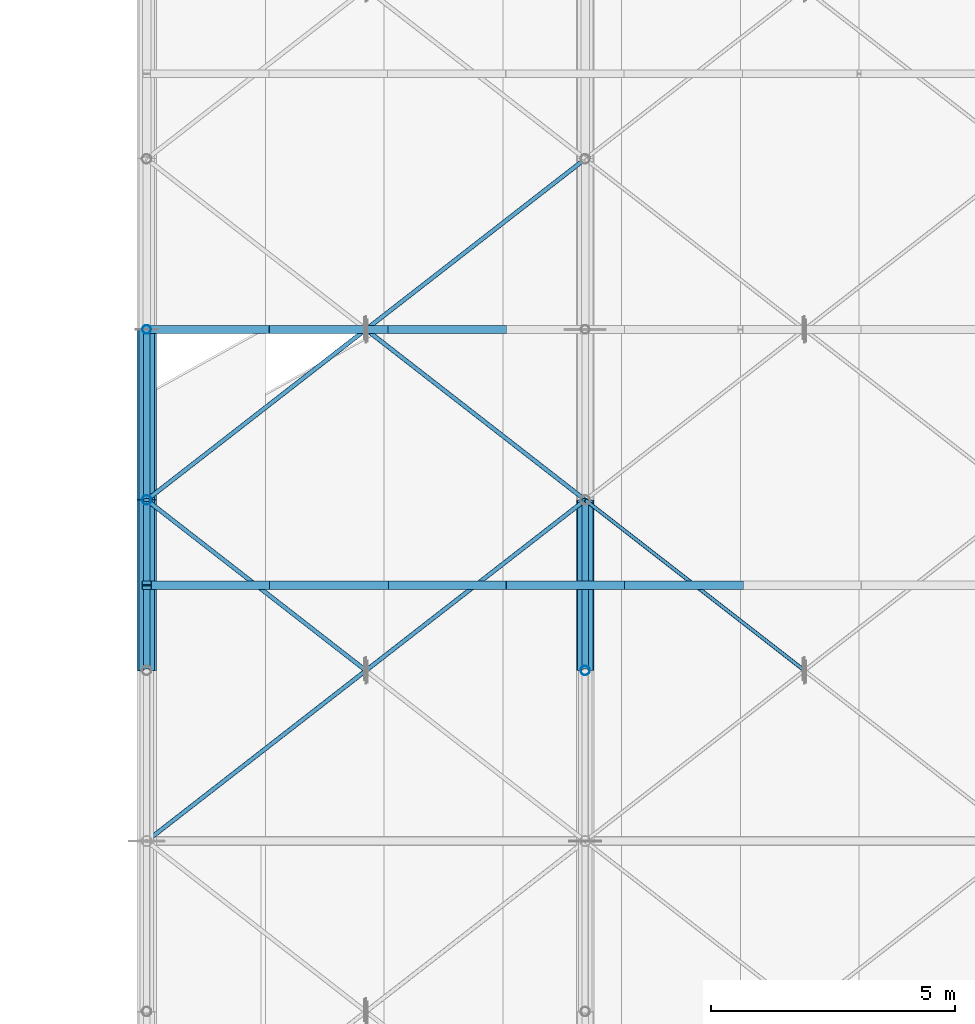
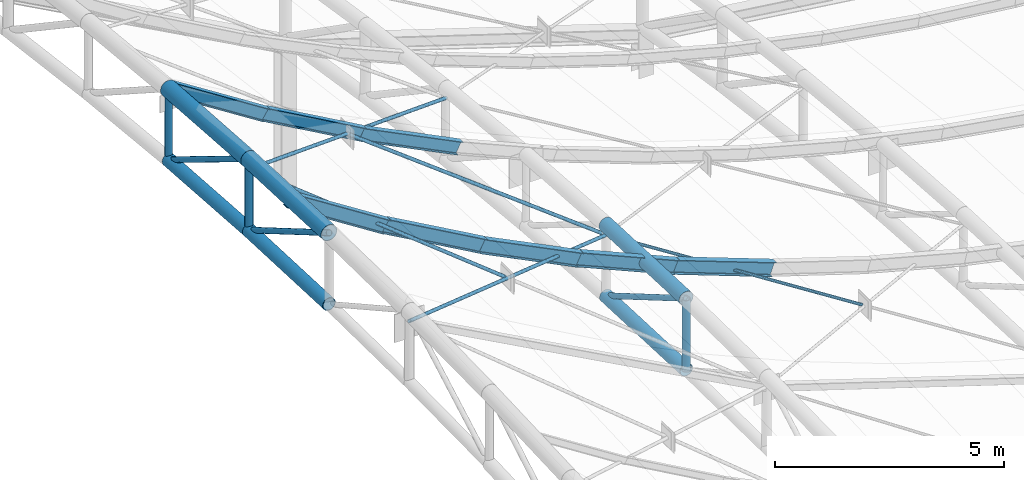
# One storey, part 23 of 262: 25 members.
"""IFC4 building model written with IfcOpenShell, lengths in metres."""

import ifcopenshell
import ifcopenshell.guid

model = None  # the IFC model being written
_history = None  # IfcOwnerHistory: only IFC2X3 demands one
_inside = {}  # id of a spatial element -> (the spatial element, [elements in it])
_under = {}  # id of a project, library or spatial element -> (it, [spatial elements below it])
_declared = {}  # id of a project -> (the project, [libraries it declares])
_typed = {}  # id of a type object -> (the type object, [elements of that type])
_made_of = {}  # id of a material, layer set ... -> (it, [elements and type objects made of it])


def new_model(schema):
    """Start an empty IFC model of exactly this schema.

    Asked for "IFC4X3", IfcOpenShell would pick the latest addendum, in which some entities
    have other attributes; the version numbers below select the first issue.
    IFC2X3 requires an IfcOwnerHistory on every rooted entity: one is made here for all.
    """
    global model, _history
    if schema == "IFC4X3":
        model = ifcopenshell.file(schema_version=(4, 3, 0, 0))
    else:
        model = ifcopenshell.file(schema=schema)
    _inside.clear()
    _under.clear()
    _declared.clear()
    _typed.clear()
    _made_of.clear()
    _history = None
    if model.schema == "IFC2X3":
        org = make("IfcOrganization", Name="unknown")
        user = make(
            "IfcPersonAndOrganization",
            ThePerson=make("IfcPerson", FamilyName="unknown"),
            TheOrganization=org,
        )
        app = make(
            "IfcApplication",
            ApplicationDeveloper=org,
            Version="unknown",
            ApplicationFullName="unknown",
            ApplicationIdentifier="unknown",
        )
        _history = make(
            "IfcOwnerHistory",
            OwningUser=user,
            OwningApplication=app,
            ChangeAction="ADDED",
            CreationDate=0,
        )
    return model


def make(cls, **values):
    """One entity of the class cls with the attributes given. An attribute that is None is left unset."""
    return model.create_entity(
        cls, **{name: value for name, value in values.items() if value is not None}
    )


def rooted(cls, **values):
    """An entity with a GlobalId (a new one), such as an element, a storey or a relation."""
    return make(cls, GlobalId=ifcopenshell.guid.new(), OwnerHistory=_history, **values)


def si_unit(unit_type, name, prefix=None):
    """IfcSIUnit, for example si_unit("LENGTHUNIT", "METRE", prefix="MILLI")."""
    return make("IfcSIUnit", UnitType=unit_type, Prefix=prefix, Name=name)


def derived_unit(unit_type, elements):
    """IfcDerivedUnit: a product of units, each with its exponent."""
    return make(
        "IfcDerivedUnit",
        Elements=[
            make("IfcDerivedUnitElement", Unit=unit, Exponent=power)
            for unit, power in elements
        ],
        UnitType=unit_type,
    )


def assignment(units):
    """IfcUnitAssignment: the units of a project."""
    return None if units is None else make("IfcUnitAssignment", Units=units)


def point(xyz):
    """IfcCartesianPoint."""
    return None if xyz is None else make("IfcCartesianPoint", Coordinates=xyz)


def direction(xyz):
    """IfcDirection."""
    return None if xyz is None else make("IfcDirection", DirectionRatios=xyz)


def frame(location, z_axis=None, x_axis=None):
    """IfcAxis2Placement3D, a coordinate frame: its origin and axes. An axis left out is left unset."""
    return make(
        "IfcAxis2Placement3D",
        Location=point(location),
        Axis=direction(z_axis),
        RefDirection=direction(x_axis),
    )


def frame_2d(location, x_axis=None):
    """IfcAxis2Placement2D, a coordinate frame in the plane: its origin and x axis."""
    return make(
        "IfcAxis2Placement2D", Location=point(location), RefDirection=direction(x_axis)
    )


def origin():
    """The frame at (0, 0, 0) with its axes left unset."""
    return frame((0.0, 0.0, 0.0))


def origin_2d():
    """The frame at (0, 0) in the plane with its x axis left unset."""
    return frame_2d((0.0, 0.0))


def place(relative_to, where):
    """IfcLocalPlacement: puts the frame where relative to a parent placement (None: the world)."""
    return make(
        "IfcLocalPlacement", PlacementRelTo=relative_to, RelativePlacement=where
    )


def context(
    kind, dimensions, precision=None, world=None, true_north=None, identifier=None
):
    """IfcGeometricRepresentationContext, for example the 3D "Model" context."""
    return make(
        "IfcGeometricRepresentationContext",
        ContextIdentifier=identifier,
        ContextType=kind,
        CoordinateSpaceDimension=dimensions,
        Precision=precision,
        WorldCoordinateSystem=world,
        TrueNorth=true_north,
    )


def subcontext(parent, identifier, kind, view, scale=None):
    """IfcGeometricRepresentationSubContext, for example "Body" below "Model"."""
    return make(
        "IfcGeometricRepresentationSubContext",
        ContextIdentifier=identifier,
        ContextType=kind,
        ParentContext=parent,
        TargetScale=scale,
        TargetView=view,
    )


def project(units=None, contexts=None):
    """IfcProject with its units and contexts."""
    return rooted(
        "IfcProject",
        Name="project",
        RepresentationContexts=contexts,
        UnitsInContext=assignment(units),
    )


def spatial(cls, under=None, at=None, **own):
    """A site, building, storey or space (cls), placed at a placement, below another one or the project."""
    s = rooted(cls, ObjectPlacement=at, **own)
    if under is not None:
        _under.setdefault(under.id(), (under, []))[1].append(s)
    return s


def profile(cls, at=None, kind="AREA", **sizes):
    """A parametric profile (cls). Its sizes go by their IFC names, for example OverallWidth=200.0."""
    return make(cls, ProfileType=kind, Position=at, **sizes)


def hollow_circle(**sizes):
    """IfcCircleHollowProfileDef."""
    return profile("IfcCircleHollowProfileDef", **sizes)


def i_section(**sizes):
    """IfcIShapeProfileDef."""
    return profile("IfcIShapeProfileDef", **sizes)


def extrude(swept, where, along, depth):
    """IfcExtrudedAreaSolid: the profile swept, set in the frame where, extruded along a direction by depth."""
    return make(
        "IfcExtrudedAreaSolid",
        SweptArea=swept,
        Position=where,
        ExtrudedDirection=direction(along),
        Depth=depth,
    )


def shape(context_of_items, identifier, shape_type, items):
    """IfcShapeRepresentation: the items that make up one representation, for example the "Body"."""
    return make(
        "IfcShapeRepresentation",
        ContextOfItems=context_of_items,
        RepresentationIdentifier=identifier,
        RepresentationType=shape_type,
        Items=items,
    )


def material(Name=None, Category=None):
    """IfcMaterial."""
    return make("IfcMaterial", Name=Name, Category=Category)


def material_profile(
    of_material, cross_section, Name=None, Category=None, Priority=None
):
    """IfcMaterialProfile: a cross section and its material."""
    return make(
        "IfcMaterialProfile",
        Name=Name,
        Material=of_material,
        Profile=cross_section,
        Priority=Priority,
        Category=Category,
    )


def profile_set(profiles, Name=None, composite=None):
    """IfcMaterialProfileSet."""
    return make(
        "IfcMaterialProfileSet",
        Name=Name,
        MaterialProfiles=profiles,
        CompositeProfile=composite,
    )


def made_of(thing, what):
    """Note that an element or type object is made of a material, layer set ...; save() writes the relation."""
    if what is not None:
        _made_of.setdefault(what.id(), (what, []))[1].append(thing)
    return thing


def type_object(cls, material=None, **own):
    """A type object (cls), such as IfcWallType, which elements share."""
    return made_of(rooted(cls, **own), material)


def element(
    cls,
    number,
    at=None,
    inside=None,
    cuts=None,
    type_object=None,
    material=None,
    context=None,
    identifier="Body",
    shape_type=None,
    held_by="IfcProductDefinitionShape",
    body=None,
    shapes=None,
    **own,
):
    """One element of the class cls, such as IfcWall. Its Tag is "e" and its number.

    at: its placement. inside: the storey or other place that contains it. cuts: it is an
    opening in that element (IfcRelVoidsElement). A single representation is given by context,
    identifier, shape_type and body (its items); several are given by shapes. held_by: the class
    of the entity that holds the representations. save() writes the other relations.
    """
    e = rooted(cls, Tag="e%d" % number, ObjectPlacement=at, **own)
    if body is not None:
        shapes = [shape(context, identifier, shape_type, body)]
    if shapes is not None:
        e.Representation = make(held_by, Representations=shapes)
    if inside is not None:
        _inside.setdefault(inside.id(), (inside, []))[1].append(e)
    if cuts is not None:
        rooted(
            "IfcRelVoidsElement", RelatingBuildingElement=cuts, RelatedOpeningElement=e
        )
    if type_object is not None:
        _typed.setdefault(type_object.id(), (type_object, []))[1].append(e)
    return made_of(e, material)


def aggregate(whole, parts):
    """IfcRelAggregates: a whole, such as a stair, and the parts it consists of."""
    return rooted("IfcRelAggregates", RelatingObject=whole, RelatedObjects=parts)


def save(model, path):
    """Write the relations noted so far, then the file.

    IfcRelAggregates (storeys below a building ...), IfcRelContainedInSpatialStructure (elements
    in a storey), IfcRelDefinesByType, IfcRelAssociatesMaterial and IfcRelDeclares: one each for
    every whole, place, type object, material and project.
    """
    for whole, parts in _under.values():
        aggregate(whole, parts)
    for where, things in _inside.values():
        rooted(
            "IfcRelContainedInSpatialStructure",
            RelatedElements=things,
            RelatingStructure=where,
        )
    for kind, things in _typed.values():
        rooted("IfcRelDefinesByType", RelatedObjects=things, RelatingType=kind)
    for what, things in _made_of.values():
        rooted("IfcRelAssociatesMaterial", RelatedObjects=things, RelatingMaterial=what)
    for by, libraries in _declared.values():
        rooted("IfcRelDeclares", RelatingContext=by, RelatedDefinitions=libraries)
    model.write(path)


model = new_model("IFC4")

# Units and contexts
model_context = context("Model", 3, precision=1e-05, world=origin(), true_north=direction((0.0, 1.0)))
body_context = subcontext(model_context, "Body", "Model", "MODEL_VIEW")
ifc_project = project(units=[si_unit("LENGTHUNIT", "METRE"), si_unit("AREAUNIT", "SQUARE_METRE"), si_unit("VOLUMEUNIT", "CUBIC_METRE"), si_unit("PLANEANGLEUNIT", "RADIAN"), si_unit("MASSUNIT", "GRAM", prefix="KILO"), derived_unit("THERMALTRANSMITTANCEUNIT", [(si_unit("POWERUNIT", "WATT"), 1), (si_unit("LENGTHUNIT", "METRE"), -2), (si_unit("THERMODYNAMICTEMPERATUREUNIT", "KELVIN"), -1)])], contexts=[model_context])

# Site, building, storey
site_placement = place(None, origin())
site = spatial("IfcSite", under=ifc_project, at=site_placement, CompositionType="ELEMENT")
building_placement = place(site_placement, origin())
building = spatial("IfcBuilding", under=site, at=building_placement, Name="Almenara Railside Exhibition Hall", CompositionType="ELEMENT")
storey_placement = place(building_placement, frame((0.0, 0.0, 21.699951171875)))
storey = spatial("IfcBuildingStorey", under=building, at=storey_placement, Name="RF", CompositionType="ELEMENT", Elevation=21.699951171875)

# Members
ifc_material = material(Name="Structural steel S355JR", Category="steel")
ifc_material_profile_1 = material_profile(ifc_material, hollow_circle(Radius=0.04443359375, WallThickness=0.00390625, at=origin_2d()), Name="CHS 88.9x4")
ifc_profile_set_1 = profile_set([ifc_material_profile_1], Name="Structural steel S355JR")
member_type_1 = type_object("IfcMemberType", Name="Canopy Tie Brace CHS 88.9x4 S355JR", PredefinedType="BRACE", material=ifc_profile_set_1)
member_1_placement = place(storey_placement, frame((3.0, 21.0, 2.420166015625), z_axis=(0.720574299615, 0.560446677479, -0.408255067865), x_axis=(-0.613940613515, 0.789352217376, 0.0)))
element("IfcMember", 1, at=member_1_placement, inside=storey, type_object=member_type_1, Name="MEM-WB-V4-WB-CHS89-00-06-C", PredefinedType="BRACE", context=body_context, shape_type="SweptSolid", body=[
    extrude(hollow_circle(Radius=0.04443359375, WallThickness=0.00390625, at=origin_2d()), origin(), (0.0, 0.0, 1.0), 12.489990234375),
])
member_2_placement = place(storey_placement, frame((3.0, 28.0, 2.219970703125), z_axis=(0.729815985766, -0.567625786928, -0.381011276651), x_axis=(0.613934636816, 0.789356865883, 0.0)))
element("IfcMember", 2, at=member_2_placement, inside=storey, type_object=member_type_1, Name="MEM-WB-V4-WB-CHS89-00-06-S1", PredefinedType="BRACE", context=body_context, shape_type="SweptSolid", body=[
    extrude(hollow_circle(Radius=0.04443359375, WallThickness=0.00390625, at=origin_2d()), origin(), (0.0, 0.0, 1.0), 6.117431640625),
])
member_3_placement = place(storey_placement, frame((3.0, 28.0, 2.219970703125), z_axis=(0.710981083192, 0.552985286927, -0.434411293344), x_axis=(-0.613940613515, 0.789352217376, 0.0)))
element("IfcMember", 3, at=member_3_placement, inside=storey, type_object=member_type_1, Name="MEM-WB-V4-WB-CHS89-00-08-C", PredefinedType="BRACE", context=body_context, shape_type="SweptSolid", body=[
    extrude(hollow_circle(Radius=0.04443359375, WallThickness=0.00390625, at=origin_2d()), origin(), (0.0, 0.0, 1.0), 12.658447265625),
])
member_4_placement = place(storey_placement, frame((7.535888671875, 31.47216796875, -0.546630859375), z_axis=(0.73859090829, -0.57447305976, -0.352794804102), x_axis=(0.613949579345, 0.789345243871, 0.0)))
element("IfcMember", 4, at=member_4_placement, inside=storey, type_object=member_type_1, Name="MEM-WB-V4-WB-CHS89-00-08-S2", PredefinedType="BRACE", context=body_context, shape_type="SweptSolid", body=[
    extrude(hollow_circle(Radius=0.04443359375, WallThickness=0.00390625, at=origin_2d()), origin(), (0.0, 0.0, 1.0), 6.044189453125),
])
ifc_material_profile_2 = material_profile(ifc_material, i_section(OverallWidth=0.159912109375, OverallDepth=0.330078125, WebThickness=0.007568359375, FlangeThickness=0.011474609375, FilletRadius=0.01806640625, at=origin_2d()), Name="IPE 330")
ifc_profile_set_2 = profile_set([ifc_material_profile_2], Name="Structural steel S355JR")
member_type_2 = type_object("IfcMemberType", Name="Gable Bay Purlin IPE 330 S355JR", PredefinedType="PURLIN", material=ifc_profile_set_2)
member_5_placement = place(storey_placement, frame((3.0, 31.5, 2.271728515625), z_axis=(0.842265270347, 0.0, -0.53906327492), x_axis=(0.0, 1.0, 0.0)))
element("IfcMember", 5, at=member_5_placement, inside=storey, type_object=member_type_2, Name="MEM-PR-V4-PR-IPE330-06-00", PredefinedType="PURLIN", context=body_context, shape_type="SweptSolid", body=[
    extrude(i_section(OverallWidth=0.159912109375, OverallDepth=0.330078125, WebThickness=0.007568359375, FlangeThickness=0.011474609375, FilletRadius=0.01806640625, at=origin_2d()), origin(), (0.0, 0.0, 1.0), 2.89306640625),
])
member_6_placement = place(storey_placement, frame((5.436767578125, 31.5, 0.7255859375), z_axis=(0.870445855666, 0.0, -0.492264169277), x_axis=(0.0, 1.0, 0.0)))
element("IfcMember", 6, at=member_6_placement, inside=storey, type_object=member_type_2, Name="MEM-PR-V4-PR-IPE330-06-01", PredefinedType="PURLIN", context=body_context, shape_type="SweptSolid", body=[
    extrude(i_section(OverallWidth=0.159912109375, OverallDepth=0.330078125, WebThickness=0.007568359375, FlangeThickness=0.011474609375, FilletRadius=0.01806640625, at=origin_2d()), origin(), (0.0, 0.0, 1.0), 2.799072265625),
])
member_7_placement = place(storey_placement, frame((7.873291015625, 31.5, -0.657958984375), z_axis=(0.895376074457, 0.0, -0.445310773831), x_axis=(0.0, 1.0, 0.0)))
element("IfcMember", 7, at=member_7_placement, inside=storey, type_object=member_type_2, Name="MEM-PR-V4-PR-IPE330-06-02", PredefinedType="PURLIN", context=body_context, shape_type="SweptSolid", body=[
    extrude(i_section(OverallWidth=0.159912109375, OverallDepth=0.330078125, WebThickness=0.007568359375, FlangeThickness=0.011474609375, FilletRadius=0.01806640625, at=origin_2d()), origin(), (0.0, 0.0, 1.0), 2.721435546875),
])
ifc_material_profile_3 = material_profile(ifc_material, hollow_circle(Radius=0.0380859375, WallThickness=0.003662109375, at=origin_2d()), Name="CHS 76.1x3.6")
ifc_profile_set_3 = profile_set([ifc_material_profile_3], Name="Structural steel S355JR")
member_type_3 = type_object("IfcMemberType", Name="Lantern Cross-Tie Brace CHS 76.1x3.6 S355JR", PredefinedType="BRACE", material=ifc_profile_set_3)
member_8_placement = place(storey_placement, frame((12.0, 28.0, -2.678955078125), z_axis=(0.768544764163, -0.597743039799, -0.228127604313), x_axis=(0.613931654796, 0.789359185187, 0.0)))
element("IfcMember", 8, at=member_8_placement, inside=storey, type_object=member_type_3, Name="MEM-WB-V4-WB-CHS76-01-06-S1", PredefinedType="BRACE", context=body_context, shape_type="SweptSolid", body=[
    extrude(hollow_circle(Radius=0.0380859375, WallThickness=0.003662109375, at=origin_2d()), origin(), (0.0, 0.0, 1.0), 5.813232421875),
])
ifc_material_profile_4 = material_profile(ifc_material, i_section(OverallWidth=0.169921875, OverallDepth=0.360107421875, WebThickness=0.008056640625, FlangeThickness=0.0126953125, FilletRadius=0.01806640625, at=origin_2d()), Name="IPE 360")
ifc_profile_set_4 = profile_set([ifc_material_profile_4], Name="Structural steel S355JR")
member_type_4 = type_object("IfcMemberType", Name="Long-Span Scroll Purlin IPE 360 S355JR", PredefinedType="PURLIN", material=ifc_profile_set_4)
member_9_placement = place(storey_placement, frame((3.0, 26.25, 2.48193359375), z_axis=(0.842226955435, 0.0, -0.539123135785), x_axis=(0.0, 1.0, 0.0)))
element("IfcMember", 9, at=member_9_placement, inside=storey, type_object=member_type_4, Name="MEM-PR-V4-PR-IPE360-05-00", PredefinedType="PURLIN", context=body_context, shape_type="SweptSolid", body=[
    extrude(i_section(OverallWidth=0.169921875, OverallDepth=0.360107421875, WebThickness=0.008056640625, FlangeThickness=0.0126953125, FilletRadius=0.01806640625, at=origin_2d()), origin(), (0.0, 0.0, 1.0), 2.893310546875),
])
member_10_placement = place(storey_placement, frame((5.436767578125, 26.25, 0.93603515625), z_axis=(0.870483227181, 0.0, -0.492198081261), x_axis=(0.0, 1.0, 0.0)))
element("IfcMember", 10, at=member_10_placement, inside=storey, type_object=member_type_4, Name="MEM-PR-V4-PR-IPE360-05-01", PredefinedType="PURLIN", context=body_context, shape_type="SweptSolid", body=[
    extrude(i_section(OverallWidth=0.169921875, OverallDepth=0.360107421875, WebThickness=0.008056640625, FlangeThickness=0.0126953125, FilletRadius=0.01806640625, at=origin_2d()), origin(), (0.0, 0.0, 1.0), 2.799072265625),
])
member_11_placement = place(storey_placement, frame((7.873291015625, 26.25, -0.447021484375), z_axis=(0.895376074457, 0.0, -0.445310773831), x_axis=(0.0, 1.0, 0.0)))
element("IfcMember", 11, at=member_11_placement, inside=storey, type_object=member_type_4, Name="MEM-PR-V4-PR-IPE360-05-02", PredefinedType="PURLIN", context=body_context, shape_type="SweptSolid", body=[
    extrude(i_section(OverallWidth=0.169921875, OverallDepth=0.360107421875, WebThickness=0.008056640625, FlangeThickness=0.0126953125, FilletRadius=0.01806640625, at=origin_2d()), origin(), (0.0, 0.0, 1.0), 2.721435546875),
])
member_12_placement = place(storey_placement, frame((10.31005859375, 26.25, -1.64892578125), z_axis=(0.917189812532, 0.0, -0.398450558775), x_axis=(0.0, 1.0, 0.0)))
element("IfcMember", 12, at=member_12_placement, inside=storey, type_object=member_type_4, Name="MEM-PR-V4-PR-IPE360-05-03", PredefinedType="PURLIN", context=body_context, shape_type="SweptSolid", body=[
    extrude(i_section(OverallWidth=0.169921875, OverallDepth=0.360107421875, WebThickness=0.008056640625, FlangeThickness=0.0126953125, FilletRadius=0.01806640625, at=origin_2d()), origin(), (0.0, 0.0, 1.0), 2.65673828125),
])
member_13_placement = place(storey_placement, frame((12.746826171875, 26.25, -2.69921875), z_axis=(0.936171044044, 0.0, -0.351544842508), x_axis=(0.0, 1.0, 0.0)))
element("IfcMember", 13, at=member_13_placement, inside=storey, type_object=member_type_4, Name="MEM-PR-V4-PR-IPE360-05-04", PredefinedType="PURLIN", context=body_context, shape_type="SweptSolid", body=[
    extrude(i_section(OverallWidth=0.169921875, OverallDepth=0.360107421875, WebThickness=0.008056640625, FlangeThickness=0.0126953125, FilletRadius=0.01806640625, at=origin_2d()), origin(), (0.0, 0.0, 1.0), 2.60302734375),
])
ifc_material_profile_5 = material_profile(ifc_material, hollow_circle(Radius=0.203125, WallThickness=0.012451171875, at=origin_2d()), Name="CHS 406.4x12.5")
ifc_profile_set_5 = profile_set([ifc_material_profile_5], Name="Structural steel S355JR")
member_type_5 = type_object("IfcMemberType", Name="Plenary Gable Top Chord CHS 406.4x12.5 S355JR", PredefinedType="CHORD", material=ifc_profile_set_5)
member_14_placement = place(storey_placement, frame((3.0, 24.5, 2.650146484375), z_axis=(0.0, 0.999081106193, -0.042859575914), x_axis=(-1.0, 0.0, 0.0)))
element("IfcMember", 14, at=member_14_placement, inside=storey, type_object=member_type_5, Name="MEM-TC-V4-00-07", PredefinedType="CHORD", context=body_context, shape_type="SweptSolid", body=[
    extrude(hollow_circle(Radius=0.203125, WallThickness=0.012451171875, at=origin_2d()), origin(), (0.0, 0.0, 1.0), 3.503173828125),
])
member_15_placement = place(storey_placement, frame((3.0, 28.0, 2.5), z_axis=(0.0, 0.997458699831, -0.071247049988), x_axis=(-1.0, 0.0, 0.0)))
element("IfcMember", 15, at=member_15_placement, inside=storey, type_object=member_type_5, Name="MEM-TC-V4-00-08", PredefinedType="CHORD", context=body_context, shape_type="SweptSolid", body=[
    extrude(hollow_circle(Radius=0.203125, WallThickness=0.012451171875, at=origin_2d()), origin(), (0.0, 0.0, 1.0), 3.509033203125),
])
ifc_material_profile_6 = material_profile(ifc_material, hollow_circle(Radius=0.161865234375, WallThickness=0.010009765625, at=origin_2d()), Name="CHS 323.9x10")
ifc_profile_set_6 = profile_set([ifc_material_profile_6], Name="Structural steel S355JR")
member_type_6 = type_object("IfcMemberType", Name="Plenary Truss Bottom Chord CHS 323.9x10 S355JR", PredefinedType="CHORD", material=ifc_profile_set_6)
member_16_placement = place(storey_placement, frame((3.0, 24.5, 0.75), z_axis=(0.0, 0.999084087935, -0.042790013253), x_axis=(-1.0, 0.0, 0.0)))
element("IfcMember", 16, at=member_16_placement, inside=storey, type_object=member_type_6, Name="MEM-BC-V4-00-07", PredefinedType="CHORD", context=body_context, shape_type="SweptSolid", body=[
    extrude(hollow_circle(Radius=0.161865234375, WallThickness=0.010009765625, at=origin_2d()), origin(), (0.0, 0.0, 1.0), 3.503173828125),
])
member_17_placement = place(storey_placement, frame((3.0, 28.0, 0.60009765625), z_axis=(0.0, 0.997458699831, -0.071247049988), x_axis=(-1.0, 0.0, 0.0)))
element("IfcMember", 17, at=member_17_placement, inside=storey, type_object=member_type_6, Name="MEM-BC-V4-00-08", PredefinedType="CHORD", context=body_context, shape_type="SweptSolid", body=[
    extrude(hollow_circle(Radius=0.161865234375, WallThickness=0.010009765625, at=origin_2d()), origin(), (0.0, 0.0, 1.0), 3.509033203125),
])
member_18_placement = place(storey_placement, frame((12.0, 24.5, -4.149169921875), z_axis=(0.0, 0.999084087935, -0.042790013253), x_axis=(-1.0, 0.0, 0.0)))
element("IfcMember", 18, at=member_18_placement, inside=storey, type_object=member_type_6, Name="MEM-BC-V4-01-07", PredefinedType="CHORD", context=body_context, shape_type="SweptSolid", body=[
    extrude(hollow_circle(Radius=0.161865234375, WallThickness=0.010009765625, at=origin_2d()), origin(), (0.0, 0.0, 1.0), 3.503173828125),
])
ifc_material_profile_7 = material_profile(ifc_material, hollow_circle(Radius=0.177734375, WallThickness=0.012451171875, at=origin_2d()), Name="CHS 355.6x12.5")
ifc_profile_set_7 = profile_set([ifc_material_profile_7], Name="Structural steel S355JR")
member_type_7 = type_object("IfcMemberType", Name="Plenary Truss Top Chord CHS 355.6x12.5 S355JR", PredefinedType="CHORD", material=ifc_profile_set_7)
member_19_placement = place(storey_placement, frame((12.0, 24.5, -2.2490234375), z_axis=(0.0, 0.999081106193, -0.042859575914), x_axis=(-1.0, 0.0, 0.0)))
element("IfcMember", 19, at=member_19_placement, inside=storey, type_object=member_type_7, Name="MEM-TC-V4-01-07", PredefinedType="CHORD", context=body_context, shape_type="SweptSolid", body=[
    extrude(hollow_circle(Radius=0.177734375, WallThickness=0.012451171875, at=origin_2d()), origin(), (0.0, 0.0, 1.0), 3.503173828125),
])
ifc_material_profile_8 = material_profile(ifc_material, hollow_circle(Radius=0.06982421875, WallThickness=0.0048828125, at=origin_2d()), Name="CHS 139.7x5")
ifc_profile_set_8 = profile_set([ifc_material_profile_8], Name="Structural steel S355JR")
member_type_8 = type_object("IfcMemberType", Name="Truss Inner Diagonal CHS 139.7x5 S355JR", PredefinedType="BRACE", material=ifc_profile_set_8)
member_20_placement = place(storey_placement, frame((3.0, 24.5, 2.650146484375), z_axis=(0.0, 0.862878111278, -0.505412074526), x_axis=(-1.0, 0.0, 0.0)))
element("IfcMember", 20, at=member_20_placement, inside=storey, type_object=member_type_8, Name="MEM-TD-V4-00-07", PredefinedType="BRACE", context=body_context, shape_type="SweptSolid", body=[
    extrude(hollow_circle(Radius=0.06982421875, WallThickness=0.0048828125, at=origin_2d()), origin(), (0.0, 0.0, 1.0), 4.05615234375),
])
member_21_placement = place(storey_placement, frame((3.0, 28.0, 2.5), z_axis=(0.0, 0.852086589476, -0.523400844512), x_axis=(-1.0, 0.0, 0.0)))
element("IfcMember", 21, at=member_21_placement, inside=storey, type_object=member_type_8, Name="MEM-TD-V4-00-08", PredefinedType="BRACE", context=body_context, shape_type="SweptSolid", body=[
    extrude(hollow_circle(Radius=0.06982421875, WallThickness=0.0048828125, at=origin_2d()), origin(), (0.0, 0.0, 1.0), 4.107666015625),
])
member_22_placement = place(storey_placement, frame((12.0, 24.5, -2.2490234375), z_axis=(0.0, 0.862878111278, -0.505412074526), x_axis=(-1.0, 0.0, 0.0)))
element("IfcMember", 22, at=member_22_placement, inside=storey, type_object=member_type_8, Name="MEM-TD-V4-01-07", PredefinedType="BRACE", context=body_context, shape_type="SweptSolid", body=[
    extrude(hollow_circle(Radius=0.06982421875, WallThickness=0.0048828125, at=origin_2d()), origin(), (0.0, 0.0, 1.0), 4.05615234375),
])
ifc_material_profile_9 = material_profile(ifc_material, hollow_circle(Radius=0.0888671875, WallThickness=0.006103515625, at=origin_2d()), Name="CHS 177.8x6")
ifc_profile_set_9 = profile_set([ifc_material_profile_9], Name="Structural steel S355JR")
member_type_9 = type_object("IfcMemberType", Name="Truss Quarter Vertical Strut CHS 177.8x6 S355JR", PredefinedType="BRACE", material=ifc_profile_set_9)
member_23_placement = place(storey_placement, frame((3.0, 31.5, 0.35009765625), z_axis=(0.0, 0.0, 1.0), x_axis=(1.0, 0.0, 0.0)))
element("IfcMember", 23, at=member_23_placement, inside=storey, type_object=member_type_9, Name="MEM-TV-V4-00-09", PredefinedType="BRACE", context=body_context, shape_type="SweptSolid", body=[
    extrude(hollow_circle(Radius=0.0888671875, WallThickness=0.006103515625, at=origin_2d()), origin(), (0.0, 0.0, 1.0), 1.89990234375),
])
ifc_material_profile_10 = material_profile(ifc_material, hollow_circle(Radius=0.096923828125, WallThickness=0.00634765625, at=origin_2d()), Name="CHS 193.7x6.3")
ifc_profile_set_10 = profile_set([ifc_material_profile_10], Name="Structural steel S355JR")
member_type_10 = type_object("IfcMemberType", Name="Truss Standard Vertical Strut CHS 193.7x6.3 S355JR", PredefinedType="BRACE", material=ifc_profile_set_10)
member_24_placement = place(storey_placement, frame((3.0, 28.0, 0.60009765625), z_axis=(0.0, 0.0, 1.0), x_axis=(1.0, 0.0, 0.0)))
element("IfcMember", 24, at=member_24_placement, inside=storey, type_object=member_type_10, Name="MEM-TV-V4-00-08", PredefinedType="BRACE", context=body_context, shape_type="SweptSolid", body=[
    extrude(hollow_circle(Radius=0.096923828125, WallThickness=0.00634765625, at=origin_2d()), origin(), (0.0, 0.0, 1.0), 1.89990234375),
])
member_25_placement = place(storey_placement, frame((12.0, 24.5, -4.149169921875), z_axis=(0.0, 0.0, 1.0), x_axis=(1.0, 0.0, 0.0)))
element("IfcMember", 25, at=member_25_placement, inside=storey, type_object=member_type_10, Name="MEM-TV-V4-01-07", PredefinedType="BRACE", context=body_context, shape_type="SweptSolid", body=[
    extrude(hollow_circle(Radius=0.096923828125, WallThickness=0.00634765625, at=origin_2d()), origin(), (0.0, 0.0, 1.0), 1.900146484375),
])

save(model, "model.ifc")
